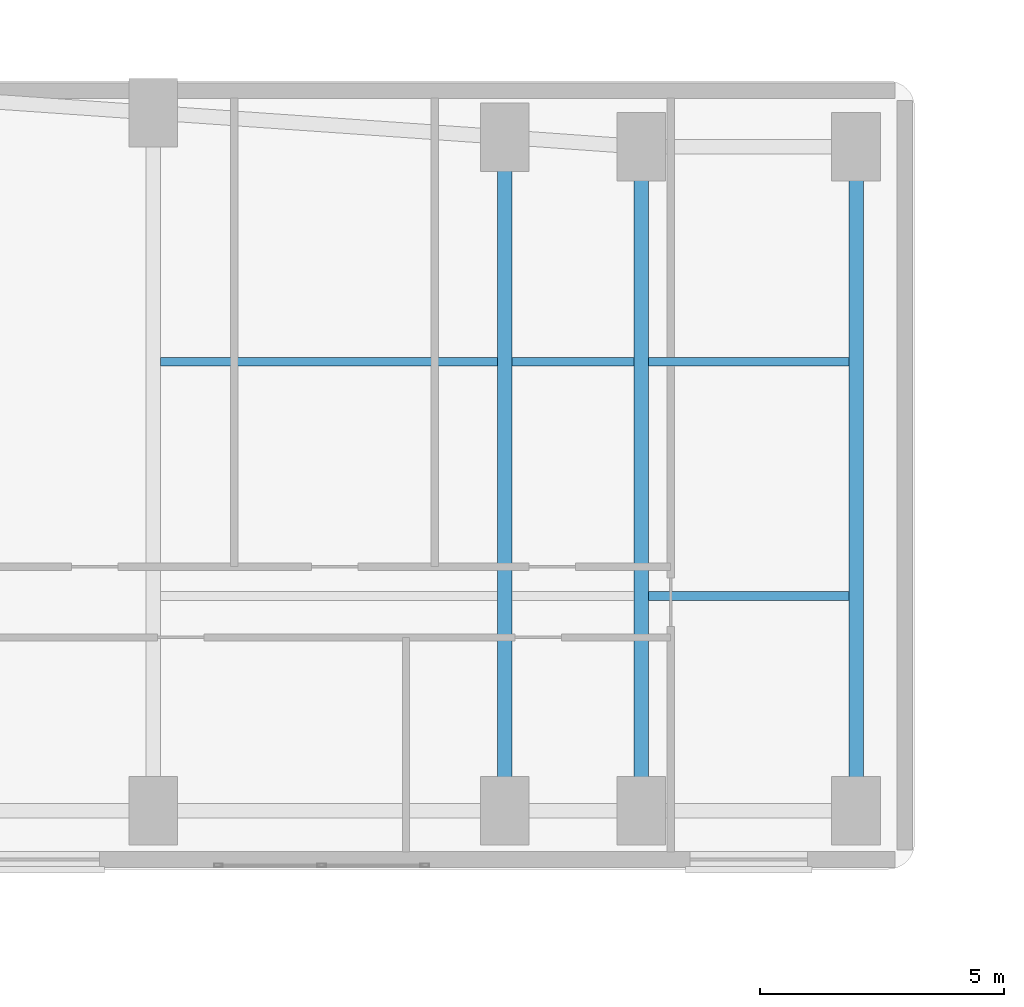
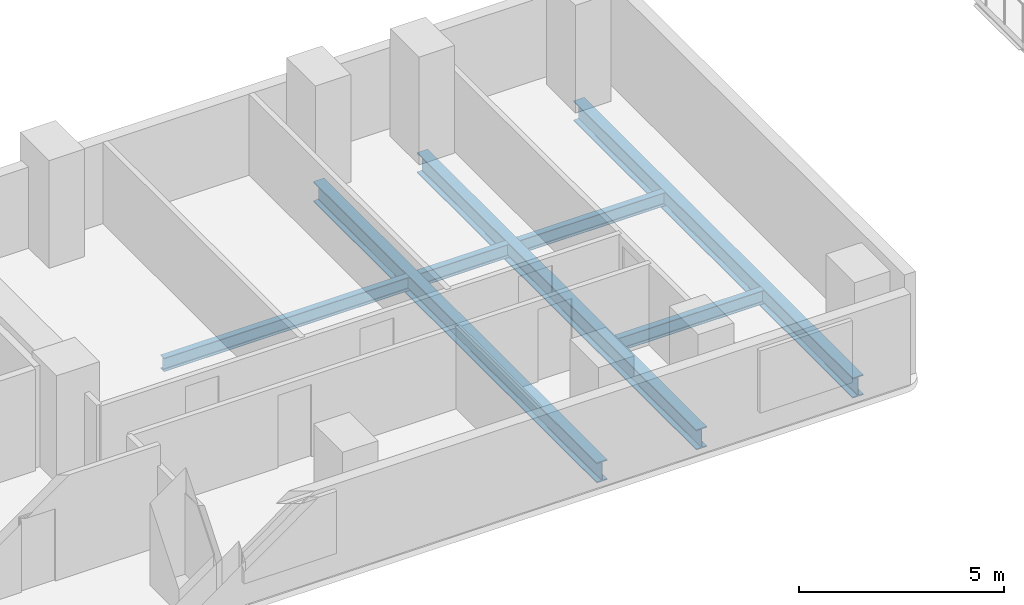
# One storey, part 7 of 17: 7 beams.
"""IFC4 building model written with IfcOpenShell, lengths in metres."""

from ifc_helpers import new_model, si_unit, direction, frame, origin, origin_2d, place, context, subcontext, project, spatial, i_section, extrude, material, material_profile, profile_set, type_object, element, save


model = new_model("IFC4")

# Units and contexts
model_context = context("Model", 3, precision=1e-05, world=origin(), true_north=direction((0.0, 1.0)))
body_context = subcontext(model_context, "Body", "Model", "MODEL_VIEW")
ifc_project = project(units=[si_unit("LENGTHUNIT", "METRE"), si_unit("AREAUNIT", "SQUARE_METRE"), si_unit("VOLUMEUNIT", "CUBIC_METRE"), si_unit("PLANEANGLEUNIT", "RADIAN"), si_unit("MASSUNIT", "GRAM", prefix="KILO")], contexts=[model_context])

# Site, building, storey
site_placement = place(None, origin())
site = spatial("IfcSite", under=ifc_project, at=site_placement, CompositionType="ELEMENT")
building_placement = place(site_placement, origin())
building = spatial("IfcBuilding", under=site, at=building_placement, Name="Kuzgunbayir Cultural Tower", CompositionType="ELEMENT")
storey_placement = place(building_placement, frame((0.0, 0.0, 43.60009765625)))
storey = spatial("IfcBuildingStorey", under=building, at=storey_placement, Name="L11", CompositionType="ELEMENT", Elevation=43.60009765625)

# Beams
ifc_material = material(Name="Steel S355J2", Category="steel")
ifc_material_profile_1 = material_profile(ifc_material, i_section(OverallWidth=0.300048828125, OverallDepth=0.60009765625, WebThickness=0.015380859375, FlangeThickness=0.030029296875, FilletRadius=0.027099609375, at=origin_2d()), Name="HEB 600")
ifc_profile_set_1 = profile_set([ifc_material_profile_1], Name="Steel S355J2")
beam_type_1 = type_object("IfcBeamType", Name="BM-GIR-HEB600", PredefinedType="BEAM", material=ifc_profile_set_1)
beam_1_placement = place(storey_placement, frame((38.39990234375, 27.60009765625, -0.47998046875), z_axis=(0.0, 1.0, 0.0), x_axis=(-1.0, 0.0, 0.0)))
element("IfcBeam", 1, at=beam_1_placement, inside=storey, type_object=beam_type_1, Name="L11 Wing B Cross Girder 38", PredefinedType="BEAM", context=body_context, shape_type="SweptSolid", body=[
    extrude(i_section(OverallWidth=0.300048828125, OverallDepth=0.60009765625, WebThickness=0.015380859375, FlangeThickness=0.030029296875, FilletRadius=0.027099609375, at=origin_2d()), origin(), (0.0, 0.0, 1.0), 13.7998046875),
])
for number, where, z_axis, x_axis, name in (
    (2, (41.199951171875, 27.60009765625, -0.47998046875), (0.0, 1.0, 0.0), (-1.0, 0.0, 0.0), "L11 Wing B Cross Girder 41"),
    (3, (45.60009765625, 27.60009765625, -0.47998046875), (0.0, 1.0, 0.0), (-1.0, 0.0, 0.0), "L11 Wing B Cross Girder 45"),
):
    element("IfcBeam", number, at=place(storey_placement, frame(where, z_axis=z_axis, x_axis=x_axis)), inside=storey, type_object=beam_type_1, Name=name, PredefinedType="BEAM", context=body_context, shape_type="SweptSolid", body=[
        extrude(i_section(OverallWidth=0.300048828125, OverallDepth=0.60009765625, WebThickness=0.015380859375, FlangeThickness=0.030029296875, FilletRadius=0.027099609375, at=origin_2d()), origin(), (0.0, 0.0, 1.0), 13.599853515625),
    ])
ifc_material_profile_2 = material_profile(ifc_material, i_section(OverallWidth=0.179931640625, OverallDepth=0.39990234375, WebThickness=0.008544921875, FlangeThickness=0.013427734375, FilletRadius=0.02099609375, at=origin_2d()), Name="IPE 400")
ifc_profile_set_2 = profile_set([ifc_material_profile_2], Name="Steel S355J2")
beam_type_2 = type_object("IfcBeamType", Name="BM-JST-IPE400", PredefinedType="JOIST", material=ifc_profile_set_2)
beam_2_placement = place(storey_placement, frame((31.35009765625, 36.800048828125, -0.380126953125), z_axis=(1.0, 0.0, 0.0), x_axis=(0.0, 1.0, 0.0)))
element("IfcBeam", 4, at=beam_2_placement, inside=storey, type_object=beam_type_2, Name="L11 Wing B Secondary Joist 1.2", PredefinedType="JOIST", context=body_context, shape_type="SweptSolid", body=[
    extrude(i_section(OverallWidth=0.179931640625, OverallDepth=0.39990234375, WebThickness=0.008544921875, FlangeThickness=0.013427734375, FilletRadius=0.02099609375, at=origin_2d()), origin(), (0.0, 0.0, 1.0), 6.89990234375),
])
beam_3_placement = place(storey_placement, frame((38.550048828125, 36.800048828125, -0.380126953125), z_axis=(1.0, 0.0, 0.0), x_axis=(0.0, 1.0, 0.0)))
element("IfcBeam", 5, at=beam_3_placement, inside=storey, type_object=beam_type_2, Name="L11 Wing B Secondary Joist 2.2", PredefinedType="JOIST", context=body_context, shape_type="SweptSolid", body=[
    extrude(i_section(OverallWidth=0.179931640625, OverallDepth=0.39990234375, WebThickness=0.008544921875, FlangeThickness=0.013427734375, FilletRadius=0.02099609375, at=origin_2d()), origin(), (0.0, 0.0, 1.0), 2.5),
])
for number, where, z_axis, x_axis, name in (
    (6, (41.35009765625, 32.0, -0.380126953125), (1.0, 0.0, 0.0), (0.0, 1.0, 0.0), "L11 Wing B Secondary Joist 3.1"),
    (7, (41.35009765625, 36.800048828125, -0.380126953125), (1.0, 0.0, 0.0), (0.0, 1.0, 0.0), "L11 Wing B Secondary Joist 3.2"),
):
    element("IfcBeam", number, at=place(storey_placement, frame(where, z_axis=z_axis, x_axis=x_axis)), inside=storey, type_object=beam_type_2, Name=name, PredefinedType="JOIST", context=body_context, shape_type="SweptSolid", body=[
        extrude(i_section(OverallWidth=0.179931640625, OverallDepth=0.39990234375, WebThickness=0.008544921875, FlangeThickness=0.013427734375, FilletRadius=0.02099609375, at=origin_2d()), origin(), (0.0, 0.0, 1.0), 4.099853515625),
    ])

save(model, "model.ifc")
